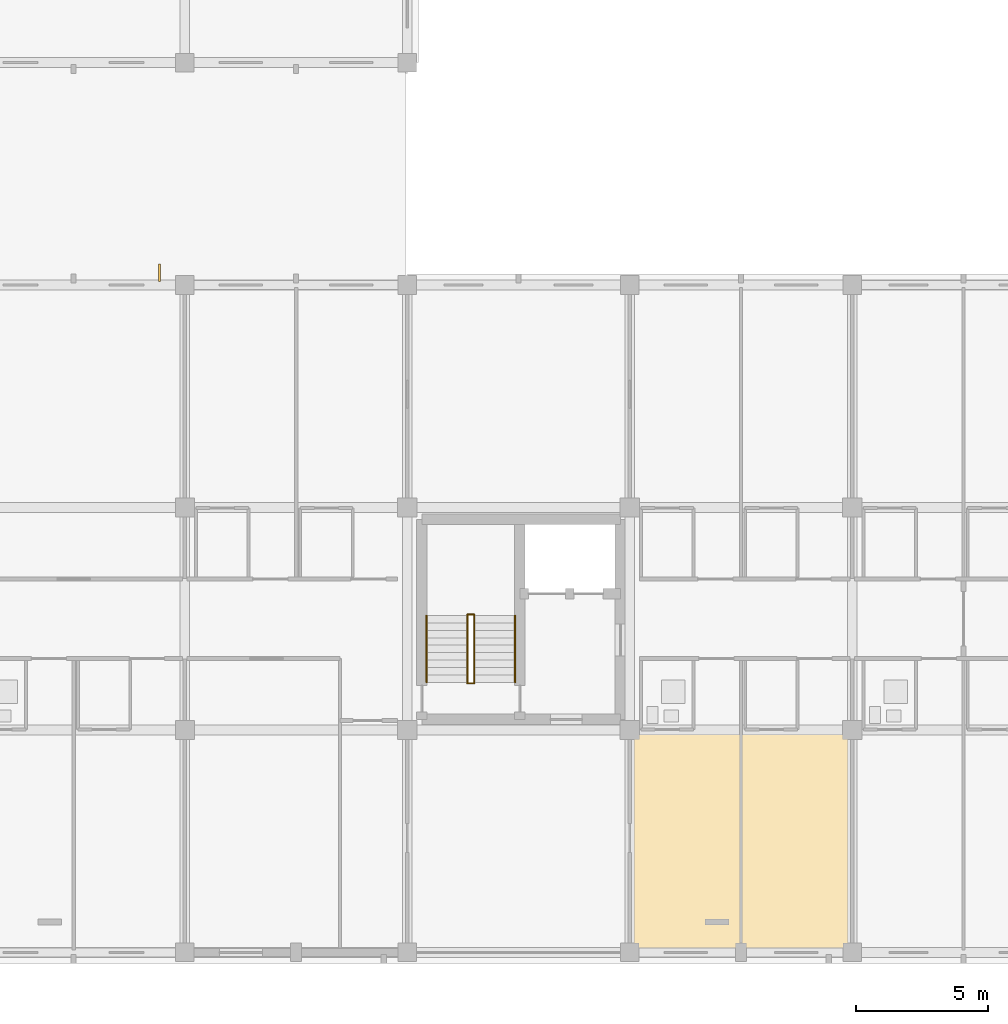
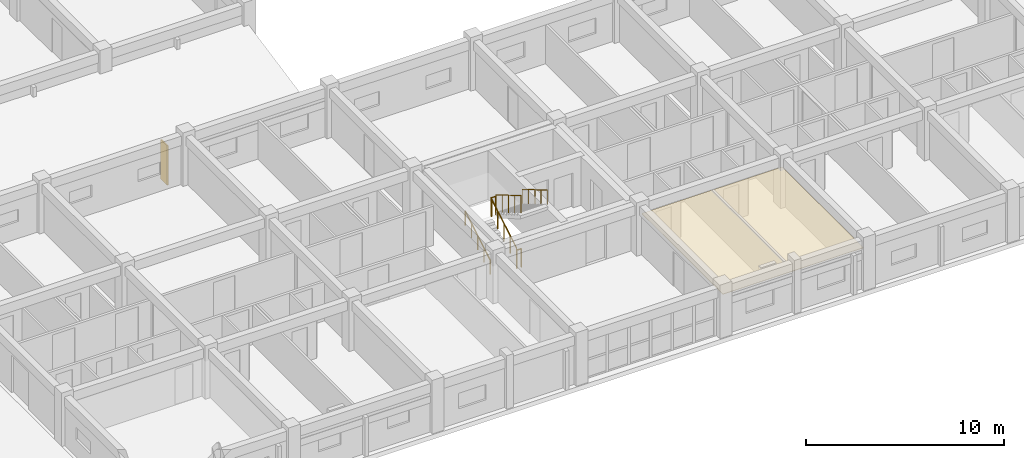
# One storey, part 137 of 148: 6 railings, 1 covering, 1 shading device.
"""IFC4 building model written with IfcOpenShell, lengths in metres."""

from ifc_helpers import new_model, si_unit, direction, frame, origin, origin_2d, place, context, subcontext, project, spatial, polyline, rectangle, circle, outline, extrude, material, layer, layer_set, type_object, element, save


model = new_model("IFC4")

# Units and contexts
model_context = context("Model", 3, precision=1e-05, world=origin(), true_north=direction((0.0, 1.0)))
body_context = subcontext(model_context, "Body", "Model", "MODEL_VIEW")
ifc_project = project(units=[si_unit("LENGTHUNIT", "METRE"), si_unit("AREAUNIT", "SQUARE_METRE"), si_unit("VOLUMEUNIT", "CUBIC_METRE"), si_unit("PLANEANGLEUNIT", "RADIAN"), si_unit("MASSUNIT", "GRAM", prefix="KILO")], contexts=[model_context])

# Site, building, storey
site_placement = place(None, origin())
site = spatial("IfcSite", under=ifc_project, at=site_placement, CompositionType="ELEMENT")
building_placement = place(site_placement, origin())
building = spatial("IfcBuilding", under=site, at=building_placement, Name="Trelvath General Hospital", CompositionType="ELEMENT")
storey_placement = place(building_placement, frame((0.0, 0.0, 12.89990234375)))
storey = spatial("IfcBuildingStorey", under=building, at=storey_placement, Name="L03", CompositionType="ELEMENT", Elevation=12.89990234375)

# Covering
ifc_material_1 = material(Name="Hygienic acoustic ceiling tile")
ifc_layer = layer(ifc_material_1, 0.02490234375)
ifc_layer_set = layer_set([ifc_layer], Name="Hygienic acoustic ceiling tile")
covering_type = type_object("IfcCoveringType", Name="Ceiling ClinicalAcoustic", PredefinedType="CEILING", material=ifc_layer_set)
covering_placement = place(storey_placement, frame((0.0, 0.0, 2.300048828125)))
element("IfcCovering", 1, at=covering_placement, inside=storey, type_object=covering_type, Name="Clinical Acoustic Ceiling L03-39", PredefinedType="CEILING", context=body_context, shape_type="SweptSolid", body=[
    extrude(outline(polyline([(50.5, 0.10009765625), (58.699951171875, 0.10009765625), (58.699951171875, 8.320068359375), (50.5, 8.320068359375), (50.5, 0.10009765625)])), origin(), (0.0, 0.0, 1.0), 0.025146484375),
])

# Railings
ifc_material_2 = material(Name="Architectural painted steel", Category="steel")
railing_type_1 = type_object("IfcRailingType", Name="Guardrail Terrace1150", PredefinedType="GUARDRAIL", material=ifc_material_2)
railing_1_placement = place(storey_placement, frame((44.27001953125, 10.159912109375, 0.0)))
element("IfcRailing", 2, at=railing_1_placement, inside=storey, type_object=railing_type_1, Name="Stair Well Edge Guard C4 L03 138", PredefinedType="GUARDRAIL", context=body_context, shape_type="SweptSolid", body=[
    extrude(circle(Radius=0.02392578125, at=origin_2d()), frame((0.0, 0.0, 1.1259765625), z_axis=(1.0, 0.0, 0.0), x_axis=(0.0, 1.0, 0.0)), (0.0, 0.0, 1.0), 0.260009765625),
    extrude(circle(Radius=0.02099609375, at=origin_2d()), origin(), (0.0, 0.0, 1.0), 1.099853515625),
    extrude(circle(Radius=0.02099609375, at=origin_2d()), frame((0.260009765625, 0.0, 0.0)), (0.0, 0.0, 1.0), 1.099853515625),
])
railing_2_placement = place(storey_placement, frame((44.530029296875, 12.719970703125, 1.815185546875)))
element("IfcRailing", 3, at=railing_2_placement, inside=storey, type_object=railing_type_1, Name="Stair Rail ST4 L03 F2 L 140", PredefinedType="GUARDRAIL", context=body_context, shape_type="SweptSolid", body=[
    extrude(circle(Radius=0.02392578125, at=origin_2d()), frame((0.0, 0.0, 1.076171875), z_axis=(0.0, -0.861560626758, 0.507654692109), x_axis=(1.0, 0.0, 0.0)), (0.0, 0.0, 1.0), 2.925048828125),
    extrude(circle(Radius=0.02099609375, at=origin_2d()), origin(), (0.0, 0.0, 1.0), 1.050048828125),
    extrude(circle(Radius=0.02099609375, at=origin_2d()), frame((0.0, -0.6298828125, 0.37109375)), (0.0, 0.0, 1.0), 1.050048828125),
    extrude(circle(Radius=0.02099609375, at=origin_2d()), frame((0.0, -1.260009765625, 0.742431640625)), (0.0, 0.0, 1.0), 1.050048828125),
    extrude(circle(Radius=0.02099609375, at=origin_2d()), frame((0.0, -1.89013671875, 1.11376953125)), (0.0, 0.0, 1.0), 1.050048828125),
    extrude(circle(Radius=0.02099609375, at=origin_2d()), frame((0.0, -2.52001953125, 1.48486328125)), (0.0, 0.0, 1.0), 1.050048828125),
])
railing_3_placement = place(storey_placement, frame((44.27001953125, 10.199951171875, 0.1650390625)))
element("IfcRailing", 4, at=railing_3_placement, inside=storey, type_object=railing_type_1, Name="Stair Rail ST4 L03 F1 R 141", PredefinedType="GUARDRAIL", context=body_context, shape_type="SweptSolid", body=[
    extrude(circle(Radius=0.02392578125, at=origin_2d()), frame((0.0, 0.0, 1.076171875), z_axis=(0.0, 0.86152411907, 0.507716645641), x_axis=(-1.0, 0.0, 0.0)), (0.0, 0.0, 1.0), 2.925048828125),
    extrude(circle(Radius=0.02099609375, at=origin_2d()), origin(), (0.0, 0.0, 1.0), 1.050048828125),
    extrude(circle(Radius=0.02099609375, at=origin_2d()), frame((0.0, 0.6298828125, 0.371337890625)), (0.0, 0.0, 1.0), 1.050048828125),
    extrude(circle(Radius=0.02099609375, at=origin_2d()), frame((0.0, 1.260009765625, 0.74267578125)), (0.0, 0.0, 1.0), 1.050048828125),
    extrude(circle(Radius=0.02099609375, at=origin_2d()), frame((0.0, 1.89013671875, 1.11376953125)), (0.0, 0.0, 1.0), 1.050048828125),
    extrude(circle(Radius=0.02099609375, at=origin_2d()), frame((0.0, 2.52001953125, 1.485107421875)), (0.0, 0.0, 1.0), 1.050048828125),
])
railing_4_placement = place(storey_placement, frame((44.27001953125, 12.760009765625, 1.650146484375)))
element("IfcRailing", 5, at=railing_4_placement, inside=storey, type_object=railing_type_1, Name="Half-Landing Well Guard ST4 L03 143", PredefinedType="GUARDRAIL", context=body_context, shape_type="SweptSolid", body=[
    extrude(circle(Radius=0.02392578125, at=origin_2d()), frame((0.0, 0.0, 1.1259765625), z_axis=(1.0, 0.0, 0.0), x_axis=(0.0, 1.0, 0.0)), (0.0, 0.0, 1.0), 0.260009765625),
    extrude(circle(Radius=0.02099609375, at=origin_2d()), origin(), (0.0, 0.0, 1.0), 1.099853515625),
    extrude(circle(Radius=0.02099609375, at=origin_2d()), frame((0.260009765625, 0.0, 0.0)), (0.0, 0.0, 1.0), 1.099853515625),
])
ifc_material_3 = material(Name="Brushed stainless steel", Category="steel")
railing_type_2 = type_object("IfcRailingType", Name="Handrail Stair900", PredefinedType="HANDRAIL", material=ifc_material_3)
railing_5_placement = place(storey_placement, frame((42.72998046875, 10.199951171875, 0.1650390625)))
element("IfcRailing", 6, at=railing_5_placement, inside=storey, type_object=railing_type_2, Name="Stair Rail ST4 L03 F1 L 139", PredefinedType="HANDRAIL", context=body_context, shape_type="SweptSolid", body=[
    extrude(circle(Radius=0.02392578125, at=origin_2d()), frame((0.0, 0.0, 0.8759765625), z_axis=(0.0, 0.86152411907, 0.507716645641), x_axis=(-1.0, 0.0, 0.0)), (0.0, 0.0, 1.0), 2.925048828125),
    extrude(circle(Radius=0.02099609375, at=origin_2d()), origin(), (0.0, 0.0, 1.0), 0.849853515625),
    extrude(circle(Radius=0.02099609375, at=origin_2d()), frame((0.0, 0.6298828125, 0.371337890625)), (0.0, 0.0, 1.0), 0.849853515625),
    extrude(circle(Radius=0.02099609375, at=origin_2d()), frame((0.0, 1.260009765625, 0.74267578125)), (0.0, 0.0, 1.0), 0.849853515625),
    extrude(circle(Radius=0.02099609375, at=origin_2d()), frame((0.0, 1.89013671875, 1.11376953125)), (0.0, 0.0, 1.0), 0.849853515625),
    extrude(circle(Radius=0.02099609375, at=origin_2d()), frame((0.0, 2.52001953125, 1.485107421875)), (0.0, 0.0, 1.0), 0.849853515625),
])
railing_6_placement = place(storey_placement, frame((46.070068359375, 12.719970703125, 1.815185546875)))
element("IfcRailing", 7, at=railing_6_placement, inside=storey, type_object=railing_type_2, Name="Stair Rail ST4 L03 F2 R 142", PredefinedType="HANDRAIL", context=body_context, shape_type="SweptSolid", body=[
    extrude(circle(Radius=0.02392578125, at=origin_2d()), frame((0.0, 0.0, 0.8759765625), z_axis=(0.0, -0.861560626758, 0.507654692109), x_axis=(1.0, 0.0, 0.0)), (0.0, 0.0, 1.0), 2.925048828125),
    extrude(circle(Radius=0.02099609375, at=origin_2d()), origin(), (0.0, 0.0, 1.0), 0.849853515625),
    extrude(circle(Radius=0.02099609375, at=origin_2d()), frame((0.0, -0.6298828125, 0.37109375)), (0.0, 0.0, 1.0), 0.849853515625),
    extrude(circle(Radius=0.02099609375, at=origin_2d()), frame((0.0, -1.260009765625, 0.742431640625)), (0.0, 0.0, 1.0), 0.849853515625),
    extrude(circle(Radius=0.02099609375, at=origin_2d()), frame((0.0, -1.89013671875, 1.11376953125)), (0.0, 0.0, 1.0), 0.849853515625),
    extrude(circle(Radius=0.02099609375, at=origin_2d()), frame((0.0, -2.52001953125, 1.48486328125)), (0.0, 0.0, 1.0), 0.849853515625),
])

# Shading device
ifc_material_4 = material(Name="Anodised aluminium", Category="aluminium")
shading_device_type = type_object("IfcShadingDeviceType", Name="SolarScreen PerforatedAlu", PredefinedType="JALOUSIE", material=ifc_material_4)
shading_device_placement = place(storey_placement, frame((32.63818359375, 25.6650390625, 0.000244140625), z_axis=(0.0, 0.0, 1.0), x_axis=(0.0, 1.0, 0.0)))
element("IfcShadingDevice", 8, at=shading_device_placement, inside=storey, type_object=shading_device_type, Name="Solar Brise-Soleil Screen L03-57", PredefinedType="JALOUSIE", context=body_context, shape_type="SweptSolid", body=[
    extrude(rectangle(XDim=0.64990234375, YDim=0.080078125, at=origin_2d()), origin(), (0.0, 0.0, 1.0), 2.43994140625),
])

save(model, "model.ifc")
